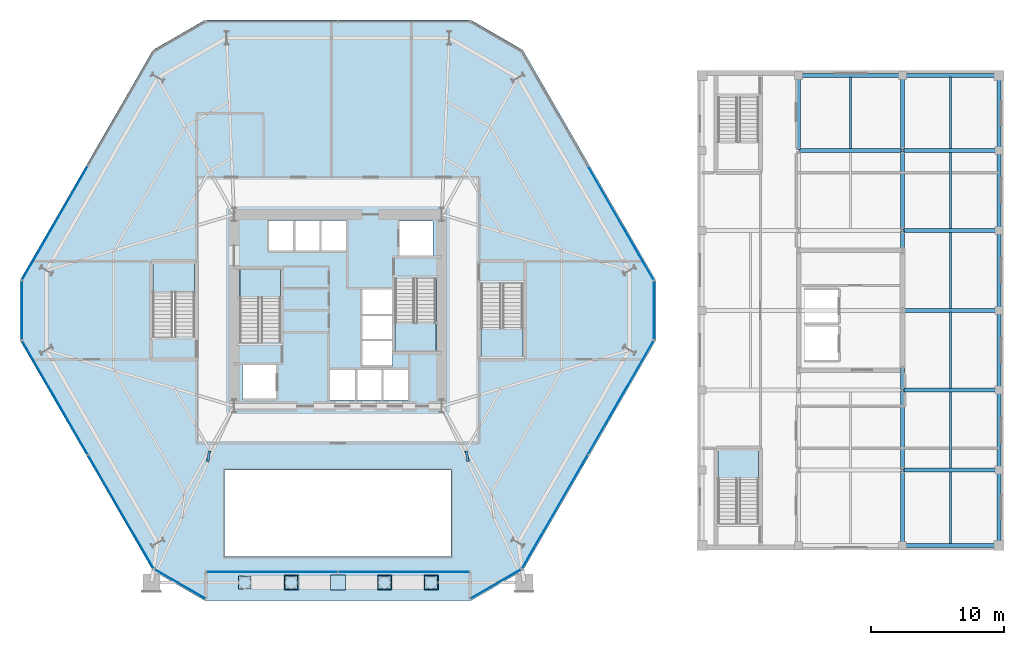
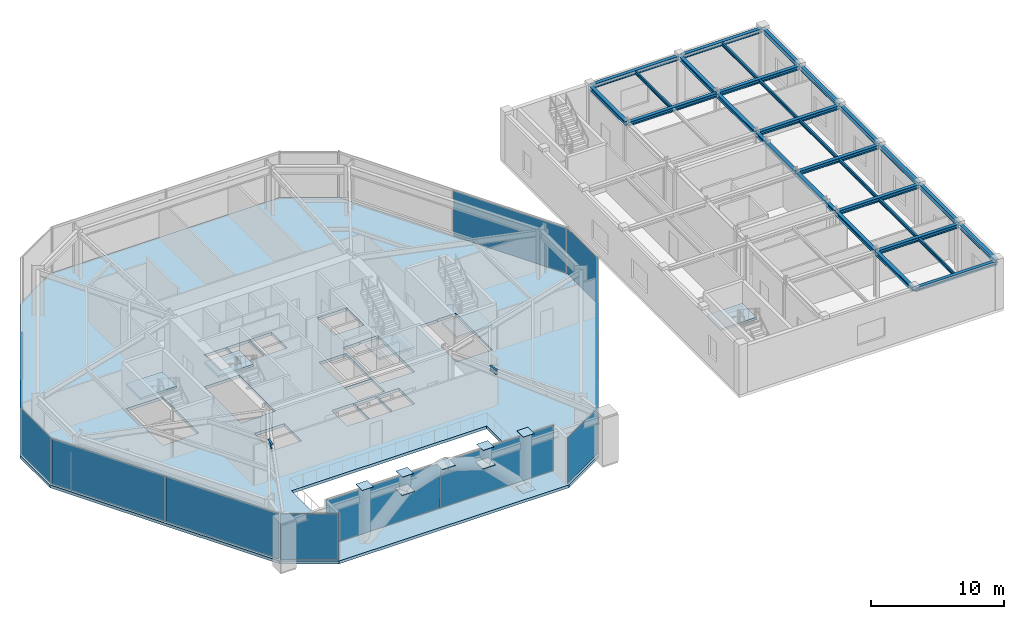
# One storey, part 14 of 23: 31 beams, 20 plates, 6 slabs, 14 elements without a shape of their own.
"""IFC4 building model written with IfcOpenShell, lengths in metres."""

from ifc_helpers import new_model, si_unit, direction, frame, origin, origin_2d, place, context, subcontext, project, spatial, polyline, rectangle, i_section, outline, extrude, material, layer, layer_set, material_profile, profile_set, type_object, element, aggregate, save


model = new_model("IFC4")

# Units and contexts
model_context = context("Model", 3, precision=1e-05, world=origin(), true_north=direction((0.0, 1.0)))
body_context = subcontext(model_context, "Body", "Model", "MODEL_VIEW")
ifc_project = project(units=[si_unit("LENGTHUNIT", "METRE"), si_unit("AREAUNIT", "SQUARE_METRE"), si_unit("VOLUMEUNIT", "CUBIC_METRE"), si_unit("PLANEANGLEUNIT", "RADIAN"), si_unit("MASSUNIT", "GRAM", prefix="KILO")], contexts=[model_context])

# Site, building, storey
site_placement = place(None, origin())
site = spatial("IfcSite", under=ifc_project, at=site_placement, CompositionType="ELEMENT")
building_placement = place(site_placement, origin())
building = spatial("IfcBuilding", under=site, at=building_placement, Name="Kranzbogen Civic Tower", CompositionType="ELEMENT")
storey_placement = place(building_placement, frame((0.0, 0.0, 14.39990234375)))
storey = spatial("IfcBuildingStorey", under=building, at=storey_placement, Name="L03", CompositionType="ELEMENT", Elevation=14.39990234375)

# Beams
ifc_material_1 = material(Name="Steel S355", Category="steel")
ifc_material_profile_1 = material_profile(ifc_material_1, i_section(OverallWidth=0.300048828125, OverallDepth=0.360107421875, WebThickness=0.012451171875, FlangeThickness=0.0224609375, at=origin_2d()), Name="HEB 360")
ifc_profile_set_1 = profile_set([ifc_material_profile_1], Name="Steel S355")
beam_type_1 = type_object("IfcBeamType", Name="Health Centre Primary Floor Beam HEB 360", PredefinedType="BEAM", material=ifc_profile_set_1)
for number, where, z_axis, x_axis, name in (
    (1, (67.4599609375, 7.35009765625, 4.1201171875), (1.0, 0.0, 0.0), (0.0, 1.0, 0.0), "L03 Health Centre X girder 3-1"),
    (2, (67.4599609375, 13.0, 4.1201171875), (1.0, 0.0, 0.0), (0.0, 1.0, 0.0), "L03 Health Centre X girder 3-2"),
    (3, (67.4599609375, 19.0, 4.1201171875), (1.0, 0.0, 0.0), (0.0, 1.0, 0.0), "L03 Health Centre X girder 3-3"),
    (4, (67.4599609375, 25.0, 4.1201171875), (1.0, 0.0, 0.0), (0.0, 1.0, 0.0), "L03 Health Centre X girder 3-4"),
    (5, (67.4599609375, 31.0, 4.1201171875), (1.0, 0.0, 0.0), (0.0, 1.0, 0.0), "L03 Health Centre X girder 3-5"),
):
    element("IfcBeam", number, at=place(storey_placement, frame(where, z_axis=z_axis, x_axis=x_axis)), inside=storey, type_object=beam_type_1, Name=name, PredefinedType="BEAM", context=body_context, shape_type="SweptSolid", body=[
        extrude(i_section(OverallWidth=0.300048828125, OverallDepth=0.360107421875, WebThickness=0.012451171875, FlangeThickness=0.0224609375, at=origin_2d()), origin(), (0.0, 0.0, 1.0), 7.130126953125),
    ])
beam_1_placement = place(storey_placement, frame((59.659912109375, 37.0, 4.1201171875), z_axis=(1.0, 0.0, 0.0), x_axis=(0.0, 1.0, 0.0)))
element("IfcBeam", 6, at=beam_1_placement, inside=storey, type_object=beam_type_1, Name="L03 Health Centre X girder 2-6", PredefinedType="BEAM", context=body_context, shape_type="SweptSolid", body=[
    extrude(i_section(OverallWidth=0.300048828125, OverallDepth=0.360107421875, WebThickness=0.012451171875, FlangeThickness=0.0224609375, at=origin_2d()), origin(), (0.0, 0.0, 1.0), 7.68017578125),
])
beam_2_placement = place(storey_placement, frame((67.4599609375, 37.0, 4.1201171875), z_axis=(1.0, 0.0, 0.0), x_axis=(0.0, 1.0, 0.0)))
element("IfcBeam", 7, at=beam_2_placement, inside=storey, type_object=beam_type_1, Name="L03 Health Centre X girder 3-6", PredefinedType="BEAM", context=body_context, shape_type="SweptSolid", body=[
    extrude(i_section(OverallWidth=0.300048828125, OverallDepth=0.360107421875, WebThickness=0.012451171875, FlangeThickness=0.0224609375, at=origin_2d()), origin(), (0.0, 0.0, 1.0), 7.130126953125),
])
beam_3_placement = place(storey_placement, frame((59.659912109375, 42.64990234375, 4.1201171875), z_axis=(1.0, 0.0, 0.0), x_axis=(0.0, 1.0, 0.0)))
element("IfcBeam", 8, at=beam_3_placement, inside=storey, type_object=beam_type_1, Name="L03 Health Centre X girder 2-7", PredefinedType="BEAM", context=body_context, shape_type="SweptSolid", body=[
    extrude(i_section(OverallWidth=0.300048828125, OverallDepth=0.360107421875, WebThickness=0.012451171875, FlangeThickness=0.0224609375, at=origin_2d()), origin(), (0.0, 0.0, 1.0), 7.68017578125),
])
beam_4_placement = place(storey_placement, frame((67.4599609375, 42.64990234375, 4.1201171875), z_axis=(1.0, 0.0, 0.0), x_axis=(0.0, 1.0, 0.0)))
element("IfcBeam", 9, at=beam_4_placement, inside=storey, type_object=beam_type_1, Name="L03 Health Centre X girder 3-7", PredefinedType="BEAM", context=body_context, shape_type="SweptSolid", body=[
    extrude(i_section(OverallWidth=0.300048828125, OverallDepth=0.360107421875, WebThickness=0.012451171875, FlangeThickness=0.0224609375, at=origin_2d()), origin(), (0.0, 0.0, 1.0), 7.130126953125),
])
for number, where, z_axis, x_axis, name in (
    (10, (67.39990234375, 7.409912109375, 4.1201171875), (0.0, 1.0, 0.0), (-1.0, 0.0, 0.0), "L03 Health Centre Y girder 3-1"),
    (11, (74.64990234375, 7.409912109375, 4.1201171875), (0.0, 1.0, 0.0), (-1.0, 0.0, 0.0), "L03 Health Centre Y girder 4-1"),
):
    element("IfcBeam", number, at=place(storey_placement, frame(where, z_axis=z_axis, x_axis=x_axis)), inside=storey, type_object=beam_type_1, Name=name, PredefinedType="BEAM", context=body_context, shape_type="SweptSolid", body=[
        extrude(i_section(OverallWidth=0.300048828125, OverallDepth=0.360107421875, WebThickness=0.012451171875, FlangeThickness=0.0224609375, at=origin_2d()), origin(), (0.0, 0.0, 1.0), 5.530029296875),
    ])
for number, where, z_axis, x_axis, name in (
    (12, (67.39990234375, 13.06005859375, 4.1201171875), (0.0, 1.0, 0.0), (-1.0, 0.0, 0.0), "L03 Health Centre Y girder 3-2"),
    (13, (74.64990234375, 13.06005859375, 4.1201171875), (0.0, 1.0, 0.0), (-1.0, 0.0, 0.0), "L03 Health Centre Y girder 4-2"),
    (14, (67.39990234375, 19.06005859375, 4.1201171875), (0.0, 1.0, 0.0), (-1.0, 0.0, 0.0), "L03 Health Centre Y girder 3-3"),
    (15, (74.64990234375, 19.06005859375, 4.1201171875), (0.0, 1.0, 0.0), (-1.0, 0.0, 0.0), "L03 Health Centre Y girder 4-3"),
    (16, (67.39990234375, 25.06005859375, 4.1201171875), (0.0, 1.0, 0.0), (-1.0, 0.0, 0.0), "L03 Health Centre Y girder 3-4"),
    (17, (74.64990234375, 25.06005859375, 4.1201171875), (0.0, 1.0, 0.0), (-1.0, 0.0, 0.0), "L03 Health Centre Y girder 4-4"),
    (18, (67.39990234375, 31.06005859375, 4.1201171875), (0.0, 1.0, 0.0), (-1.0, 0.0, 0.0), "L03 Health Centre Y girder 3-5"),
    (19, (74.64990234375, 31.06005859375, 4.1201171875), (0.0, 1.0, 0.0), (-1.0, 0.0, 0.0), "L03 Health Centre Y girder 4-5"),
):
    element("IfcBeam", number, at=place(storey_placement, frame(where, z_axis=z_axis, x_axis=x_axis)), inside=storey, type_object=beam_type_1, Name=name, PredefinedType="BEAM", context=body_context, shape_type="SweptSolid", body=[
        extrude(i_section(OverallWidth=0.300048828125, OverallDepth=0.360107421875, WebThickness=0.012451171875, FlangeThickness=0.0224609375, at=origin_2d()), origin(), (0.0, 0.0, 1.0), 5.8798828125),
    ])
for number, where, z_axis, x_axis, name in (
    (20, (59.60009765625, 37.06005859375, 4.1201171875), (0.0, 1.0, 0.0), (-1.0, 0.0, 0.0), "L03 Health Centre Y girder 2-6"),
    (21, (67.39990234375, 37.06005859375, 4.1201171875), (0.0, 1.0, 0.0), (-1.0, 0.0, 0.0), "L03 Health Centre Y girder 3-6"),
    (22, (74.64990234375, 37.06005859375, 4.1201171875), (0.0, 1.0, 0.0), (-1.0, 0.0, 0.0), "L03 Health Centre Y girder 4-6"),
):
    element("IfcBeam", number, at=place(storey_placement, frame(where, z_axis=z_axis, x_axis=x_axis)), inside=storey, type_object=beam_type_1, Name=name, PredefinedType="BEAM", context=body_context, shape_type="SweptSolid", body=[
        extrude(i_section(OverallWidth=0.300048828125, OverallDepth=0.360107421875, WebThickness=0.012451171875, FlangeThickness=0.0224609375, at=origin_2d()), origin(), (0.0, 0.0, 1.0), 5.530029296875),
    ])
ifc_material_profile_2 = material_profile(ifc_material_1, i_section(OverallWidth=0.14990234375, OverallDepth=0.300048828125, WebThickness=0.007080078125, FlangeThickness=0.0107421875, at=origin_2d()), Name="IPE 300")
ifc_profile_set_2 = profile_set([ifc_material_profile_2], Name="Steel S355")
beam_type_2 = type_object("IfcBeamType", Name="Health Centre Secondary Joist IPE 300", PredefinedType="JOIST", material=ifc_profile_set_2)
beam_5_placement = place(storey_placement, frame((71.02490234375, 7.489990234375, 4.150146484375), z_axis=(0.0, 1.0, 0.0), x_axis=(-1.0, 0.0, 0.0)))
element("IfcBeam", 23, at=beam_5_placement, inside=storey, type_object=beam_type_2, Name="L03 Health Centre secondary joist 3-1", PredefinedType="JOIST", context=body_context, shape_type="SweptSolid", body=[
    extrude(i_section(OverallWidth=0.14990234375, OverallDepth=0.300048828125, WebThickness=0.007080078125, FlangeThickness=0.0107421875, at=origin_2d()), origin(), (0.0, 0.0, 1.0), 5.3701171875),
])
for number, where, z_axis, x_axis, name in (
    (24, (71.02490234375, 13.139892578125, 4.150146484375), (0.0, 1.0, 0.0), (-1.0, 0.0, 0.0), "L03 Health Centre secondary joist 3-2"),
    (25, (71.02490234375, 19.139892578125, 4.150146484375), (0.0, 1.0, 0.0), (-1.0, 0.0, 0.0), "L03 Health Centre secondary joist 3-3"),
    (26, (71.02490234375, 25.139892578125, 4.150146484375), (0.0, 1.0, 0.0), (-1.0, 0.0, 0.0), "L03 Health Centre secondary joist 3-4"),
    (27, (71.02490234375, 31.139892578125, 4.150146484375), (0.0, 1.0, 0.0), (-1.0, 0.0, 0.0), "L03 Health Centre secondary joist 3-5"),
):
    element("IfcBeam", number, at=place(storey_placement, frame(where, z_axis=z_axis, x_axis=x_axis)), inside=storey, type_object=beam_type_2, Name=name, PredefinedType="JOIST", context=body_context, shape_type="SweptSolid", body=[
        extrude(i_section(OverallWidth=0.14990234375, OverallDepth=0.300048828125, WebThickness=0.007080078125, FlangeThickness=0.0107421875, at=origin_2d()), origin(), (0.0, 0.0, 1.0), 5.72021484375),
    ])
for number, where, z_axis, x_axis, name in (
    (28, (63.5, 37.139892578125, 4.150146484375), (0.0, 1.0, 0.0), (-1.0, 0.0, 0.0), "L03 Health Centre secondary joist 2-6"),
    (29, (71.02490234375, 37.139892578125, 4.150146484375), (0.0, 1.0, 0.0), (-1.0, 0.0, 0.0), "L03 Health Centre secondary joist 3-6"),
):
    element("IfcBeam", number, at=place(storey_placement, frame(where, z_axis=z_axis, x_axis=x_axis)), inside=storey, type_object=beam_type_2, Name=name, PredefinedType="JOIST", context=body_context, shape_type="SweptSolid", body=[
        extrude(i_section(OverallWidth=0.14990234375, OverallDepth=0.300048828125, WebThickness=0.007080078125, FlangeThickness=0.0107421875, at=origin_2d()), origin(), (0.0, 0.0, 1.0), 5.3701171875),
    ])
ifc_material_profile_3 = material_profile(ifc_material_1, i_section(OverallWidth=0.179931640625, OverallDepth=0.39990234375, WebThickness=0.008544921875, FlangeThickness=0.013427734375, at=origin_2d()), Name="IPE 400")
ifc_profile_set_3 = profile_set([ifc_material_profile_3], Name="Steel S355")
beam_type_3 = type_object("IfcBeamType", Name="Secondary Composite Floor Joist IPE 400", PredefinedType="JOIST", material=ifc_profile_set_3)
for number, where, z_axis, x_axis, name in (
    (30, (15.35400390625, 14.43603515625, 4.10009765625), (-0.156102387059, -0.987740879358, 0.0), (0.987740879358, -0.156102387059, 0.0), "L03 secondary floor joist 2.02"),
    (31, (34.77197265625, 13.638916015625, 4.10009765625), (-0.156102387059, 0.987740879358, 0.0), (-0.987740879358, -0.156102387059, 0.0), "L03 secondary floor joist 2.04"),
):
    element("IfcBeam", number, at=place(storey_placement, frame(where, z_axis=z_axis, x_axis=x_axis)), inside=storey, type_object=beam_type_3, Name=name, PredefinedType="JOIST", context=body_context, shape_type="SweptSolid", body=[
        extrude(i_section(OverallWidth=0.179931640625, OverallDepth=0.39990234375, WebThickness=0.008544921875, FlangeThickness=0.013427734375, at=origin_2d()), origin(), (0.0, 0.0, 1.0), 0.80712890625),
    ])

# Slab
ifc_material_2 = material(Name="Concrete C40/50", Category="concrete")
ifc_layer_1 = layer(ifc_material_2, 0.260009765625, Name="Concrete C40/50")
ifc_layer_set_1 = layer_set([ifc_layer_1], Name="Concrete C40/50")
slab_type_1 = type_object("IfcSlabType", Name="Composite Podium and Sky Lobby Floor Slab 260 mm", PredefinedType="FLOOR", material=ifc_layer_set_1)
slab_1_placement = place(storey_placement, frame((0.0, 0.0, -0.260009765625)))
element("IfcSlab", 32, at=slab_1_placement, inside=storey, type_object=slab_type_1, Name="L03 tower floor slab", PredefinedType="FLOOR", context=body_context, shape_type="SweptSolid", body=[
    extrude(outline(polyline([(48.873046875, 27.25), (38.885009765625, 44.550048828125), (34.988037109375, 46.800048828125), (15.011962890625, 46.800048828125), (11.114990234375, 44.550048828125), (1.126953125, 27.25), (1.126953125, 22.75), (11.114990234375, 5.449951171875), (15.011962890625, 3.199951171875), (34.988037109375, 3.199951171875), (38.885009765625, 5.449951171875), (48.873046875, 22.75), (48.873046875, 27.25)]), holes=[polyline([(33.5, 6.5), (16.5, 6.5), (16.5, 13.0), (33.5, 13.0), (33.5, 6.5)]), polyline([(26.300048828125, 18.25), (24.39990234375, 18.25), (24.39990234375, 20.60009765625), (26.300048828125, 20.60009765625), (26.300048828125, 18.25)]), polyline([(28.27490234375, 18.25), (26.375, 18.25), (26.375, 20.60009765625), (28.27490234375, 20.60009765625), (28.27490234375, 18.25)]), polyline([(20.449951171875, 18.300048828125), (17.85009765625, 18.300048828125), (17.85009765625, 20.89990234375), (20.449951171875, 20.89990234375), (20.449951171875, 18.300048828125)]), polyline([(26.75, 20.800048828125), (26.75, 22.699951171875), (29.10009765625, 22.699951171875), (29.10009765625, 20.800048828125), (26.75, 20.800048828125)]), polyline([(20.699951171875, 28.10009765625), (20.699951171875, 22.659912109375), (19.25, 22.659912109375), (19.25, 22.60009765625), (17.64990234375, 22.60009765625), (17.64990234375, 28.10009765625), (20.699951171875, 28.10009765625)]), polyline([(14.25, 28.550048828125), (14.25, 23.06005859375), (12.75, 23.06005859375), (12.75, 23.0), (11.10009765625, 23.0), (11.10009765625, 28.550048828125), (14.25, 28.550048828125)]), polyline([(19.75, 31.75), (21.64990234375, 31.75), (21.64990234375, 29.39990234375), (19.75, 29.39990234375), (19.75, 31.75)]), polyline([(21.72509765625, 31.75), (23.625, 31.75), (23.625, 29.39990234375), (21.72509765625, 29.39990234375), (21.72509765625, 31.75)]), polyline([(25.60009765625, 29.39990234375), (23.699951171875, 29.39990234375), (23.699951171875, 31.75), (25.60009765625, 31.75), (25.60009765625, 29.39990234375)]), polyline([(30.25, 18.25), (28.35009765625, 18.25), (28.35009765625, 20.60009765625), (30.25, 20.60009765625), (30.25, 18.25)]), polyline([(35.75, 26.93994140625), (37.25, 26.93994140625), (37.25, 27.0), (38.89990234375, 27.0), (38.89990234375, 21.449951171875), (35.75, 21.449951171875), (35.75, 26.93994140625)]), polyline([(29.300048828125, 21.89990234375), (29.300048828125, 27.340087890625), (30.75, 27.340087890625), (30.75, 27.39990234375), (32.35009765625, 27.39990234375), (32.35009765625, 21.89990234375), (29.300048828125, 21.89990234375)]), polyline([(26.75, 26.550048828125), (29.10009765625, 26.550048828125), (29.10009765625, 24.675048828125), (29.10009765625, 24.64990234375), (29.10009765625, 22.77490234375), (26.75, 22.77490234375), (26.75, 24.64990234375), (26.75, 24.675048828125), (26.75, 26.550048828125)]), polyline([(29.550048828125, 31.699951171875), (32.14990234375, 31.699951171875), (32.14990234375, 29.10009765625), (29.550048828125, 29.10009765625), (29.550048828125, 31.699951171875)])]), origin(), (0.0, 0.0, 1.0), 0.260009765625),
])

# Curtain wall, plate
ifc_material_3 = material(Name="Pale Anodised Aluminium", Category="aluminium")
ifc_layer_2 = layer(ifc_material_3, 0.219970703125, Name="Pale Anodised Aluminium")
ifc_layer_set_2 = layer_set([ifc_layer_2], Name="Pale Anodised Aluminium")
curtain_wall_type_1 = type_object("IfcCurtainWallType", Name="Chamfer Facet Stick Curtain Wall System CW-06", PredefinedType="USERDEFINED", material=ifc_layer_set_2)
curtain_wall_1_placement = place(storey_placement, origin())
curtain_wall_1 = element("IfcCurtainWall", 33, at=curtain_wall_1_placement, inside=storey, type_object=curtain_wall_type_1, Name="L03 curtain wall CW-L03-C3", ObjectType="STICK CURTAIN WALL", PredefinedType="USERDEFINED")
ifc_material_4 = material(Name="Low-E Triple Glazing Glass", Category="glass")
ifc_layer_3 = layer(ifc_material_4, 0.02587890625, Name="Low-E Triple Glazing Glass")
ifc_layer_set_3 = layer_set([ifc_layer_3], Name="Low-E Triple Glazing Glass")
plate_type_1 = type_object("IfcPlateType", Name="Insulated Low-E Glazing Panel 26 mm", PredefinedType="CURTAIN_PANEL", material=ifc_layer_set_3)
plate_1_placement = place(storey_placement, frame((1.26611328125, 25.0, 0.06005859375), z_axis=(0.0, 0.0, 1.0), x_axis=(0.0, -1.0, 0.0)))
plate_1 = element("IfcPlate", 34, at=plate_1_placement, type_object=plate_type_1, Name="CW-06 panel 1.1", PredefinedType="CURTAIN_PANEL", context=body_context, shape_type="SweptSolid", body=[
    extrude(rectangle(XDim=4.35400390625, YDim=0.028076171875, at=origin_2d()), origin(), (0.0, 0.0, 1.0), 4.179931640625),
])
aggregate(curtain_wall_1, [plate_1])

curtain_wall_2_placement = place(storey_placement, origin())
curtain_wall_2 = element("IfcCurtainWall", 35, at=curtain_wall_2_placement, inside=storey, type_object=curtain_wall_type_1, Name="L03 curtain wall CW-L03-C4", ObjectType="STICK CURTAIN WALL", PredefinedType="USERDEFINED")
plate_2_placement = place(storey_placement, frame((13.133056640625, 4.445556640625, 0.06005859375), z_axis=(0.0, 0.0, 1.0), x_axis=(0.865992001897, -0.500057849305, 0.0)))
plate_2 = element("IfcPlate", 36, at=plate_2_placement, type_object=plate_type_1, Name="CW-06 panel 1.1", PredefinedType="CURTAIN_PANEL", context=body_context, shape_type="SweptSolid", body=[
    extrude(rectangle(XDim=4.353515625, YDim=0.028076171875, at=origin_2d()), origin(), (0.0, 0.0, 1.0), 4.179931640625),
])
aggregate(curtain_wall_2, [plate_2])

curtain_wall_3_placement = place(storey_placement, origin())
curtain_wall_3 = element("IfcCurtainWall", 37, at=curtain_wall_3_placement, inside=storey, type_object=curtain_wall_type_1, Name="L03 curtain wall CW-L03-C5", ObjectType="STICK CURTAIN WALL", PredefinedType="USERDEFINED")
plate_3_placement = place(storey_placement, frame((36.866943359375, 4.445556640625, 0.06005859375), z_axis=(0.0, 0.0, 1.0), x_axis=(0.865992001897, 0.500057849305, 0.0)))
plate_3 = element("IfcPlate", 38, at=plate_3_placement, type_object=plate_type_1, Name="CW-06 panel 1.1", PredefinedType="CURTAIN_PANEL", context=body_context, shape_type="SweptSolid", body=[
    extrude(rectangle(XDim=4.353515625, YDim=0.028076171875, at=origin_2d()), origin(), (0.0, 0.0, 1.0), 4.179931640625),
])
aggregate(curtain_wall_3, [plate_3])

curtain_wall_4_placement = place(storey_placement, origin())
curtain_wall_4 = element("IfcCurtainWall", 39, at=curtain_wall_4_placement, inside=storey, type_object=curtain_wall_type_1, Name="L03 curtain wall CW-L03-C6", ObjectType="STICK CURTAIN WALL", PredefinedType="USERDEFINED")
plate_4_placement = place(storey_placement, frame((48.73388671875, 25.0, 0.06005859375), z_axis=(0.0, 0.0, 1.0), x_axis=(0.0, 1.0, 0.0)))
plate_4 = element("IfcPlate", 40, at=plate_4_placement, type_object=plate_type_1, Name="CW-06 panel 1.1", PredefinedType="CURTAIN_PANEL", context=body_context, shape_type="SweptSolid", body=[
    extrude(rectangle(XDim=4.35400390625, YDim=0.028076171875, at=origin_2d()), origin(), (0.0, 0.0, 1.0), 4.179931640625),
])
aggregate(curtain_wall_4, [plate_4])

ifc_layer_4 = layer(ifc_material_3, 0.219970703125, Name="Pale Anodised Aluminium")
ifc_layer_set_4 = layer_set([ifc_layer_4], Name="Pale Anodised Aluminium")
curtain_wall_type_2 = type_object("IfcCurtainWallType", Name="Podium Stick Curtain Wall System CW-01", PredefinedType="USERDEFINED", material=ifc_layer_set_4)
curtain_wall_5_placement = place(storey_placement, origin())
curtain_wall_5 = element("IfcCurtainWall", 41, at=curtain_wall_5_placement, inside=storey, type_object=curtain_wall_type_2, Name="L03 curtain wall CW-L03-F1", ObjectType="STICK CURTAIN WALL", PredefinedType="USERDEFINED")
ifc_layer_5 = layer(ifc_material_4, 0.035888671875, Name="Low-E Triple Glazing Glass")
ifc_layer_set_5 = layer_set([ifc_layer_5], Name="Low-E Triple Glazing Glass")
plate_type_2 = type_object("IfcPlateType", Name="Insulated Low-E Glazing Panel 36 mm", PredefinedType="CURTAIN_PANEL", material=ifc_layer_set_5)
plate_5_placement = place(storey_placement, frame((46.243896484375, 31.5498046875, 0.06005859375), z_axis=(0.0, 0.0, 1.0), x_axis=(-0.500005767433, 0.86602207393, 0.0)))
plate_5 = element("IfcPlate", 42, at=plate_5_placement, type_object=plate_type_2, Name="CW-01 panel 1.1", PredefinedType="CURTAIN_PANEL", context=body_context, shape_type="SweptSolid", body=[
    extrude(rectangle(XDim=9.83984375, YDim=0.028076171875, at=origin_2d()), origin(), (0.0, 0.0, 1.0), 4.179931640625),
])
aggregate(curtain_wall_5, [plate_5])

curtain_wall_6_placement = place(storey_placement, origin())
curtain_wall_6 = element("IfcCurtainWall", 43, at=curtain_wall_6_placement, inside=storey, type_object=curtain_wall_type_2, Name="L03 curtain wall CW-L03-F3", ObjectType="STICK CURTAIN WALL", PredefinedType="USERDEFINED")
plate_6_placement = place(storey_placement, frame((3.756103515625, 31.5498046875, 0.06005859375), z_axis=(0.0, 0.0, 1.0), x_axis=(-0.500005767433, -0.86602207393, 0.0)))
plate_6 = element("IfcPlate", 44, at=plate_6_placement, type_object=plate_type_2, Name="CW-01 panel 2.1", PredefinedType="CURTAIN_PANEL", context=body_context, shape_type="SweptSolid", body=[
    extrude(rectangle(XDim=9.83984375, YDim=0.028076171875, at=origin_2d()), origin(), (0.0, 0.0, 1.0), 4.179931640625),
])
aggregate(curtain_wall_6, [plate_6])

# Curtain wall, plates
curtain_wall_7_placement = place(storey_placement, origin())
curtain_wall_7 = element("IfcCurtainWall", 45, at=curtain_wall_7_placement, inside=storey, type_object=curtain_wall_type_2, Name="L03 curtain wall CW-L03-F4", ObjectType="STICK CURTAIN WALL", PredefinedType="USERDEFINED")
plate_7_placement = place(storey_placement, frame((3.756103515625, 18.4501953125, 0.06005859375), z_axis=(0.0, 0.0, 1.0), x_axis=(0.500005767433, -0.86602207393, 0.0)))
plate_7 = element("IfcPlate", 46, at=plate_7_placement, type_object=plate_type_2, Name="CW-01 panel 1.1", PredefinedType="CURTAIN_PANEL", context=body_context, shape_type="SweptSolid", body=[
    extrude(rectangle(XDim=9.83984375, YDim=0.028076171875, at=origin_2d()), origin(), (0.0, 0.0, 1.0), 4.179931640625),
])
plate_8_placement = place(storey_placement, frame((8.7060546875, 9.876708984375, 0.06005859375), z_axis=(0.0, 0.0, 1.0), x_axis=(0.500005767433, -0.86602207393, 0.0)))
plate_8 = element("IfcPlate", 47, at=plate_8_placement, type_object=plate_type_2, Name="CW-01 panel 2.1", PredefinedType="CURTAIN_PANEL", context=body_context, shape_type="SweptSolid", body=[
    extrude(rectangle(XDim=9.83984375, YDim=0.028076171875, at=origin_2d()), origin(), (0.0, 0.0, 1.0), 4.179931640625),
])
aggregate(curtain_wall_7, [plate_7, plate_8])

curtain_wall_8_placement = place(storey_placement, origin())
curtain_wall_8 = element("IfcCurtainWall", 48, at=curtain_wall_8_placement, inside=storey, type_object=curtain_wall_type_2, Name="L03 curtain wall CW-L03-F5", ObjectType="STICK CURTAIN WALL", PredefinedType="USERDEFINED")
plate_9_placement = place(storey_placement, frame((20.050048828125, 5.35009765625, 0.06005859375), z_axis=(0.0, 0.0, 1.0), x_axis=(1.0, 0.0, 0.0)))
plate_9 = element("IfcPlate", 49, at=plate_9_placement, type_object=plate_type_2, Name="CW-01 panel 1.1", PredefinedType="CURTAIN_PANEL", context=body_context, shape_type="SweptSolid", body=[
    extrude(rectangle(XDim=9.840087890625, YDim=0.028076171875, at=origin_2d()), origin(), (0.0, 0.0, 1.0), 4.179931640625),
])
plate_10_placement = place(storey_placement, frame((29.949951171875, 5.35009765625, 0.06005859375), z_axis=(0.0, 0.0, 1.0), x_axis=(1.0, 0.0, 0.0)))
plate_10 = element("IfcPlate", 50, at=plate_10_placement, type_object=plate_type_2, Name="CW-01 panel 2.1", PredefinedType="CURTAIN_PANEL", context=body_context, shape_type="SweptSolid", body=[
    extrude(rectangle(XDim=9.840087890625, YDim=0.028076171875, at=origin_2d()), origin(), (0.0, 0.0, 1.0), 4.179931640625),
])
aggregate(curtain_wall_8, [plate_9, plate_10])

curtain_wall_9_placement = place(storey_placement, origin())
curtain_wall_9 = element("IfcCurtainWall", 51, at=curtain_wall_9_placement, inside=storey, type_object=curtain_wall_type_2, Name="L03 curtain wall CW-L03-F6", ObjectType="STICK CURTAIN WALL", PredefinedType="USERDEFINED")
plate_11_placement = place(storey_placement, frame((41.2939453125, 9.876708984375, 0.06005859375), z_axis=(0.0, 0.0, 1.0), x_axis=(0.500005767433, 0.86602207393, 0.0)))
plate_11 = element("IfcPlate", 52, at=plate_11_placement, type_object=plate_type_2, Name="CW-01 panel 1.1", PredefinedType="CURTAIN_PANEL", context=body_context, shape_type="SweptSolid", body=[
    extrude(rectangle(XDim=9.83984375, YDim=0.028076171875, at=origin_2d()), origin(), (0.0, 0.0, 1.0), 4.179931640625),
])
plate_12_placement = place(storey_placement, frame((46.243896484375, 18.4501953125, 0.06005859375), z_axis=(0.0, 0.0, 1.0), x_axis=(0.500005767433, 0.86602207393, 0.0)))
plate_12 = element("IfcPlate", 53, at=plate_12_placement, type_object=plate_type_2, Name="CW-01 panel 2.1", PredefinedType="CURTAIN_PANEL", context=body_context, shape_type="SweptSolid", body=[
    extrude(rectangle(XDim=9.83984375, YDim=0.028076171875, at=origin_2d()), origin(), (0.0, 0.0, 1.0), 4.179931640625),
])
aggregate(curtain_wall_9, [plate_11, plate_12])

# Plates
ifc_material_5 = material(Name="Steel S460", Category="steel")
ifc_layer_6 = layer(ifc_material_5, 0.034912109375, Name="Steel S460")
ifc_layer_set_6 = layer_set([ifc_layer_6], Name="Steel S460")
plate_type_3 = type_object("IfcPlateType", Name="Portal Arch Sealed End Cap Plate 1120x1120x35", PredefinedType="SHEET", material=ifc_layer_set_6)
plate_13_placement = place(storey_placement, frame((21.511962890625, 4.550048828125, 3.431640625), z_axis=(0.0, 0.0, 1.0), x_axis=(1.0, 0.0, 0.0)))
element("IfcPlate", 54, at=plate_13_placement, inside=storey, type_object=plate_type_3, Name="ARC-1: Giant South Portal Arch rib segment 3 end cap 2", PredefinedType="SHEET", context=body_context, shape_type="SweptSolid", body=[
    extrude(rectangle(XDim=1.1201171875, YDim=1.1201171875, at=origin_2d()), origin(), (0.0, 0.0, 1.0), 0.034912109375),
])
plate_14_placement = place(storey_placement, frame((18.0, 4.550048828125, 5.0498046875), z_axis=(0.0, 0.0, 1.0), x_axis=(1.0, 0.0, 0.0)))
element("IfcPlate", 55, at=plate_14_placement, inside=storey, type_object=plate_type_3, Name="STR-1: Portal arch transfer post 2 end cap 2", PredefinedType="SHEET", context=body_context, shape_type="SweptSolid", body=[
    extrude(rectangle(XDim=0.9599609375, YDim=0.9599609375, at=origin_2d()), origin(), (0.0, 0.0, 1.0), 0.034912109375),
])
plate_15_placement = place(storey_placement, frame((25.01708984375, 4.550048828125, 4.5888671875), z_axis=(0.0, 0.0, 1.0), x_axis=(1.0, 0.0, 0.0)))
element("IfcPlate", 56, at=plate_15_placement, inside=storey, type_object=plate_type_3, Name="ARC-1: Giant South Portal Arch rib segment 4 end cap 2", PredefinedType="SHEET", context=body_context, shape_type="SweptSolid", body=[
    extrude(rectangle(XDim=1.1201171875, YDim=1.1201171875, at=origin_2d()), origin(), (0.0, 0.0, 1.0), 0.034912109375),
])
plate_16_placement = place(storey_placement, frame((21.5, 4.550048828125, 5.0498046875), z_axis=(0.0, 0.0, 1.0), x_axis=(1.0, 0.0, 0.0)))
element("IfcPlate", 57, at=plate_16_placement, inside=storey, type_object=plate_type_3, Name="STR-1: Portal arch transfer post 3 end cap 2", PredefinedType="SHEET", context=body_context, shape_type="SweptSolid", body=[
    extrude(rectangle(XDim=0.9599609375, YDim=0.9599609375, at=origin_2d()), origin(), (0.0, 0.0, 1.0), 0.034912109375),
])
for number, where, z_axis, x_axis, name in (
    (58, (28.51708984375, 4.550048828125, 3.41357421875), (0.0, 0.0, 1.0), (1.0, 0.0, 0.0), "ARC-1: Giant South Portal Arch rib segment 5 end cap 2"),
    (59, (32.011962890625, 4.550048828125, -0.07958984375), (0.0, 0.0, 1.0), (1.0, 0.0, 0.0), "ARC-1: Giant South Portal Arch rib segment 6 end cap 2"),
):
    element("IfcPlate", number, at=place(storey_placement, frame(where, z_axis=z_axis, x_axis=x_axis)), inside=storey, type_object=plate_type_3, Name=name, PredefinedType="SHEET", context=body_context, shape_type="SweptSolid", body=[
        extrude(rectangle(XDim=1.1201171875, YDim=1.1201171875, at=origin_2d()), origin(), (0.0, 0.0, 1.0), 0.034912109375),
    ])
for number, where, z_axis, x_axis, name in (
    (60, (28.5, 4.550048828125, 5.0498046875), (0.0, 0.0, 1.0), (1.0, 0.0, 0.0), "STR-1: Portal arch transfer post 5 end cap 2"),
    (61, (32.0, 4.550048828125, 5.0498046875), (0.0, 0.0, 1.0), (1.0, 0.0, 0.0), "STR-1: Portal arch transfer post 6 end cap 2"),
):
    element("IfcPlate", number, at=place(storey_placement, frame(where, z_axis=z_axis, x_axis=x_axis)), inside=storey, type_object=plate_type_3, Name=name, PredefinedType="SHEET", context=body_context, shape_type="SweptSolid", body=[
        extrude(rectangle(XDim=0.9599609375, YDim=0.9599609375, at=origin_2d()), origin(), (0.0, 0.0, 1.0), 0.034912109375),
    ])

# Stair, slab
ifc_material_6 = material(Name="Precast concrete C40/50", Category="concrete")
stair_type_1 = type_object("IfcStairType", Name="Tower Core Pressurized Dogleg Stair 1450", PredefinedType="HALF_TURN_STAIR", material=ifc_material_6)
stair_1_placement = place(storey_placement, origin())
stair_1 = element("IfcStair", 62, at=stair_1_placement, inside=storey, type_object=stair_type_1, Name="L03 Tower Core Pressurized Stair 1", PredefinedType="HALF_TURN_STAIR")
ifc_layer_7 = layer(ifc_material_6, 0.199951171875, Name="Precast concrete C40/50")
ifc_layer_set_7 = layer_set([ifc_layer_7], Name="Precast concrete C40/50")
slab_type_2 = type_object("IfcSlabType", Name="Precast Concrete Stair Landing Slab 200 mm", PredefinedType="LANDING", material=ifc_layer_set_7)
slab_2_placement = place(storey_placement, frame((0.0, 0.0, 2.10009765625)))
slab_2 = element("IfcSlab", 63, at=slab_2_placement, type_object=slab_type_2, Name="ST-T1 landing 1", PredefinedType="LANDING", context=body_context, shape_type="SweptSolid", body=[
    extrude(outline(polyline([(20.699951171875, 25.9599609375), (20.699951171875, 28.10009765625), (17.64990234375, 28.10009765625), (17.64990234375, 25.9599609375), (20.699951171875, 25.9599609375)])), origin(), (0.0, 0.0, 1.0), 0.199951171875),
])
aggregate(stair_1, [slab_2])

stair_type_2 = type_object("IfcStairType", Name="Tower Core Secondary Dogleg Stair 1450", PredefinedType="HALF_TURN_STAIR", material=ifc_material_6)
stair_2_placement = place(storey_placement, origin())
stair_2 = element("IfcStair", 64, at=stair_2_placement, inside=storey, type_object=stair_type_2, Name="L03 Tower Core Pressurized Stair 2", PredefinedType="HALF_TURN_STAIR")
slab_3_placement = place(storey_placement, frame((0.0, 0.0, 2.10009765625)))
slab_3 = element("IfcSlab", 65, at=slab_3_placement, type_object=slab_type_2, Name="ST-T2 landing 1", PredefinedType="LANDING", context=body_context, shape_type="SweptSolid", body=[
    extrude(outline(polyline([(29.300048828125, 24.0400390625), (29.300048828125, 21.89990234375), (32.35009765625, 21.89990234375), (32.35009765625, 24.0400390625), (29.300048828125, 24.0400390625)])), origin(), (0.0, 0.0, 1.0), 0.199951171875),
])
aggregate(stair_2, [slab_3])

stair_type_3 = type_object("IfcStairType", Name="Podium Assembly Dogleg Stair 1500", PredefinedType="HALF_TURN_STAIR", material=ifc_material_6)
stair_3_placement = place(storey_placement, origin())
stair_3 = element("IfcStair", 66, at=stair_3_placement, inside=storey, type_object=stair_type_3, Name="L03 Podium Assembly Stair West", PredefinedType="HALF_TURN_STAIR")
slab_4_placement = place(storey_placement, frame((0.0, 0.0, 2.10009765625)))
slab_4 = element("IfcSlab", 67, at=slab_4_placement, type_object=slab_type_2, Name="ST-P1 landing 1", PredefinedType="LANDING", context=body_context, shape_type="SweptSolid", body=[
    extrude(outline(polyline([(14.25, 26.360107421875), (14.25, 28.550048828125), (11.10009765625, 28.550048828125), (11.10009765625, 26.360107421875), (14.25, 26.360107421875)])), origin(), (0.0, 0.0, 1.0), 0.199951171875),
])
aggregate(stair_3, [slab_4])

stair_4_placement = place(storey_placement, origin())
stair_4 = element("IfcStair", 68, at=stair_4_placement, inside=storey, type_object=stair_type_3, Name="L03 Podium Assembly Stair East", PredefinedType="HALF_TURN_STAIR")
slab_5_placement = place(storey_placement, frame((0.0, 0.0, 2.10009765625)))
slab_5 = element("IfcSlab", 69, at=slab_5_placement, type_object=slab_type_2, Name="ST-P2 landing 1", PredefinedType="LANDING", context=body_context, shape_type="SweptSolid", body=[
    extrude(outline(polyline([(35.75, 23.639892578125), (35.75, 21.449951171875), (38.89990234375, 21.449951171875), (38.89990234375, 23.639892578125), (35.75, 23.639892578125)])), origin(), (0.0, 0.0, 1.0), 0.199951171875),
])
aggregate(stair_4, [slab_5])

stair_type_4 = type_object("IfcStairType", Name="Health Centre Escape Dogleg Stair 1450", PredefinedType="HALF_TURN_STAIR", material=ifc_material_6)
stair_5_placement = place(storey_placement, origin())
stair_5 = element("IfcStair", 70, at=stair_5_placement, inside=storey, type_object=stair_type_4, Name="L03 Health Centre Escape Stair 1", PredefinedType="HALF_TURN_STAIR")
slab_6_placement = place(storey_placement, frame((0.0, 0.0, 2.10009765625)))
slab_6 = element("IfcSlab", 71, at=slab_6_placement, type_object=slab_type_2, Name="ST-H1 landing 1", PredefinedType="LANDING", context=body_context, shape_type="SweptSolid", body=[
    extrude(outline(polyline([(56.60009765625, 12.360107421875), (56.60009765625, 14.5), (53.550048828125, 14.5), (53.550048828125, 12.360107421875), (56.60009765625, 12.360107421875)])), origin(), (0.0, 0.0, 1.0), 0.199951171875),
])
aggregate(stair_5, [slab_6])

save(model, "model.ifc")
